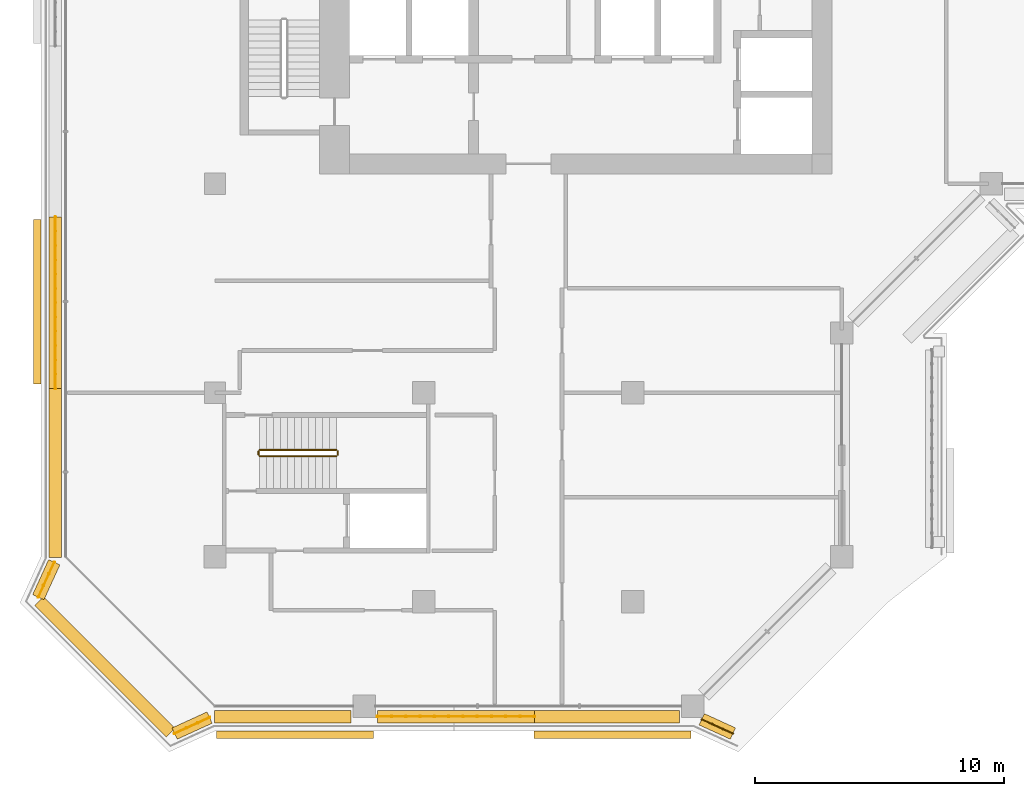
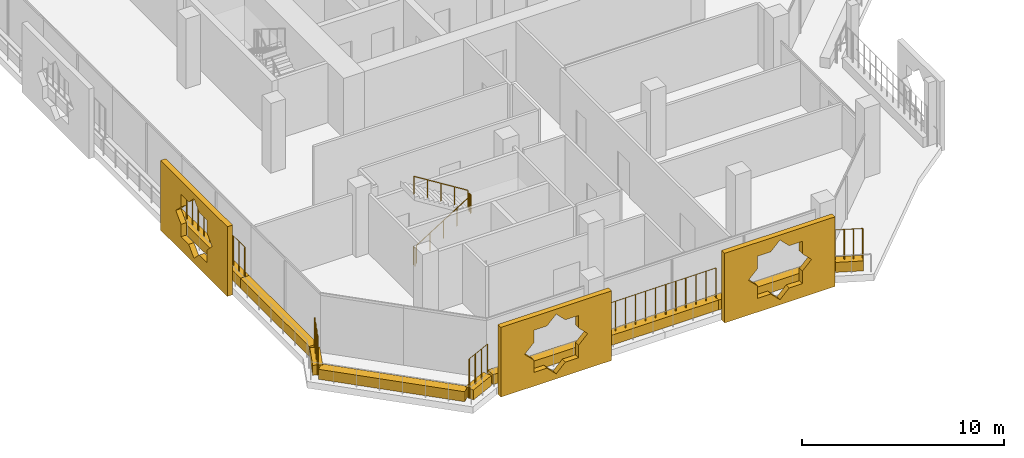
# One storey, part 14 of 21: 12 coverings, 9 railings.
"""IFC4 building model written with IfcOpenShell, lengths in metres."""

from ifc_helpers import new_model, si_unit, direction, frame, origin, origin_2d, place, context, subcontext, project, spatial, polyline, rectangle, circle, outline, extrude, material, material_profile, profile_set, type_object, element, save


model = new_model("IFC4")

# Units and contexts
model_context = context("Model", 3, precision=1e-05, world=origin(), true_north=direction((0.0, 1.0)))
body_context = subcontext(model_context, "Body", "Model", "MODEL_VIEW")
ifc_project = project(units=[si_unit("LENGTHUNIT", "METRE"), si_unit("AREAUNIT", "SQUARE_METRE"), si_unit("VOLUMEUNIT", "CUBIC_METRE"), si_unit("PLANEANGLEUNIT", "RADIAN"), si_unit("MASSUNIT", "GRAM", prefix="KILO")], contexts=[model_context])

# Site, building, storey
site_placement = place(None, origin())
site = spatial("IfcSite", under=ifc_project, at=site_placement, CompositionType="ELEMENT")
building_placement = place(site_placement, origin())
building = spatial("IfcBuilding", under=site, at=building_placement, Name="Kawkab Arch Medical Tower", CompositionType="ELEMENT")
storey_placement = place(building_placement, frame((0.0, 0.0, 264.199951171875)))
storey = spatial("IfcBuildingStorey", under=building, at=storey_placement, Name="L61", CompositionType="ELEMENT", Elevation=264.199951171875)

# Coverings
ifc_material_1 = material(Name="Bronze anodised aluminium mashrabiya panel, eight-point star pattern", Category="aluminium")
ifc_material_profile_1 = material_profile(ifc_material_1, outline(polyline([(-3.14990234375, -2.10009765625), (3.14990234375, -2.10009765625), (3.14990234375, 2.10009765625), (-3.14990234375, 2.10009765625), (-3.14990234375, -2.10009765625)]), holes=[polyline([(1.800048828125, 0.0), (1.272705078125, 0.527099609375), (1.272705078125, 1.272705078125), (0.527099609375, 1.272705078125), (0.0, 1.800048828125), (-0.527099609375, 1.272705078125), (-1.272705078125, 1.272705078125), (-1.272705078125, 0.527099609375), (-1.800048828125, 0.0), (-1.272705078125, -0.527099609375), (-1.272705078125, -1.272705078125), (-0.527099609375, -1.272705078125), (0.0, -1.800048828125), (0.527099609375, -1.272705078125), (1.272705078125, -1.272705078125), (1.272705078125, -0.527099609375), (1.800048828125, 0.0)])]), Name="Mashrabiya panel 6300x4200")
ifc_profile_set_1 = profile_set([ifc_material_profile_1], Name="Bronze anodised aluminium mashrabiya panel, eight-point star pattern")
covering_type_1 = type_object("IfcCoveringType", Name="Mashrabiya panel 6300 x 4200", PredefinedType="USERDEFINED", material=ifc_profile_set_1)
for number, where, z_axis, x_axis, name in (
    (1, (15.9814453125, -47.199951171875, 1.699951171875), (0.0, -1.0, 0.0), (1.0, 0.0, 0.0), "Mashrabiya panel L61.LOG-01-01.1"),
    (2, (3.218505859375, -47.199951171875, 1.699951171875), (0.0, -1.0, 0.0), (1.0, 0.0, 0.0), "Mashrabiya panel L61.LOG-01-01.2"),
):
    element("IfcCovering", number, at=place(storey_placement, frame(where, z_axis=z_axis, x_axis=x_axis)), inside=storey, type_object=covering_type_1, Name=name, ObjectType="SCREEN", PredefinedType="USERDEFINED", context=body_context, shape_type="SweptSolid", body=[
        extrude(outline(polyline([(-3.14990234375, -2.10009765625), (3.14990234375, -2.10009765625), (3.14990234375, 2.10009765625), (-3.14990234375, 2.10009765625), (-3.14990234375, -2.10009765625)]), holes=[polyline([(1.800048828125, 0.0), (1.272705078125, 0.527099609375), (1.272705078125, 1.272705078125), (0.527099609375, 1.272705078125), (0.0, 1.800048828125), (-0.527099609375, 1.272705078125), (-1.272705078125, 1.272705078125), (-1.272705078125, 0.527099609375), (-1.800048828125, 0.0), (-1.272705078125, -0.527099609375), (-1.272705078125, -1.272705078125), (-0.527099609375, -1.272705078125), (0.0, -1.800048828125), (0.527099609375, -1.272705078125), (1.272705078125, -1.272705078125), (1.272705078125, -0.527099609375), (1.800048828125, 0.0)])]), origin(), (0.0, 0.0, 1.0), 0.300048828125),
    ])
ifc_material_2 = material(Name="Bronze anodised aluminium mashrabiya panel, eight-point star pattern", Category="aluminium")
ifc_material_profile_2 = material_profile(ifc_material_2, outline(polyline([(-3.300048828125, -2.10009765625), (3.300048828125, -2.10009765625), (3.300048828125, 2.10009765625), (-3.300048828125, 2.10009765625), (-3.300048828125, -2.10009765625)]), holes=[polyline([(1.800048828125, 0.0), (1.272705078125, 0.527099609375), (1.272705078125, 1.272705078125), (0.527099609375, 1.272705078125), (0.0, 1.800048828125), (-0.527099609375, 1.272705078125), (-1.272705078125, 1.272705078125), (-1.272705078125, 0.527099609375), (-1.800048828125, 0.0), (-1.272705078125, -0.527099609375), (-1.272705078125, -1.272705078125), (-0.527099609375, -1.272705078125), (0.0, -1.800048828125), (0.527099609375, -1.272705078125), (1.272705078125, -1.272705078125), (1.272705078125, -0.527099609375), (1.800048828125, 0.0)])]), Name="Mashrabiya panel 6600x4200")
ifc_profile_set_2 = profile_set([ifc_material_profile_2], Name="Bronze anodised aluminium mashrabiya panel, eight-point star pattern")
covering_type_2 = type_object("IfcCoveringType", Name="Mashrabiya panel 6600 x 4200", PredefinedType="USERDEFINED", material=ifc_profile_set_2)
covering_1_placement = place(storey_placement, frame((-7.0, -29.94091796875, 1.699951171875), z_axis=(-1.0, 0.0, 0.0), x_axis=(0.0, -1.0, 0.0)))
element("IfcCovering", 3, at=covering_1_placement, inside=storey, type_object=covering_type_2, Name="Mashrabiya panel L61.LOG-01-01.3", ObjectType="SCREEN", PredefinedType="USERDEFINED", context=body_context, shape_type="SweptSolid", body=[
    extrude(outline(polyline([(-3.300048828125, -2.10009765625), (3.300048828125, -2.10009765625), (3.300048828125, 2.10009765625), (-3.300048828125, 2.10009765625), (-3.300048828125, -2.10009765625)]), holes=[polyline([(1.800048828125, 0.0), (1.272705078125, 0.527099609375), (1.272705078125, 1.272705078125), (0.527099609375, 1.272705078125), (0.0, 1.800048828125), (-0.527099609375, 1.272705078125), (-1.272705078125, 1.272705078125), (-1.272705078125, 0.527099609375), (-1.800048828125, 0.0), (-1.272705078125, -0.527099609375), (-1.272705078125, -1.272705078125), (-0.527099609375, -1.272705078125), (0.0, -1.800048828125), (0.527099609375, -1.272705078125), (1.272705078125, -1.272705078125), (1.272705078125, -0.527099609375), (1.800048828125, 0.0)])]), origin(), (0.0, 0.0, 1.0), 0.300048828125),
])
ifc_material_3 = material(Name="Planting soil in a precast trough", Category="concrete")
ifc_material_profile_3 = material_profile(ifc_material_3, rectangle(XDim=0.5, YDim=0.60009765625, at=origin_2d()), Name="Trough 500x600")
ifc_profile_set_3 = profile_set([ifc_material_profile_3], Name="Planting soil in a precast trough")
covering_type_3 = type_object("IfcCoveringType", Name="Planter trough 500 x 600", PredefinedType="USERDEFINED", material=ifc_profile_set_3)
covering_2_placement = place(storey_placement, frame((20.821044921875, -47.302001953125, 0.300048828125), z_axis=(-0.909831953447, 0.41497688669, 0.0), x_axis=(-0.41497688669, -0.909831953447, 0.0)))
element("IfcCovering", 4, at=covering_2_placement, inside=storey, type_object=covering_type_3, Name="Planter L61.LOG-01-01.1", ObjectType="PLANTER", PredefinedType="USERDEFINED", context=body_context, shape_type="SweptSolid", body=[
    extrude(rectangle(XDim=0.5, YDim=0.60009765625, at=origin_2d()), origin(), (0.0, 0.0, 1.0), 1.37841796875),
])
covering_3_placement = place(storey_placement, frame((18.669921875, -46.6201171875, 0.300048828125), z_axis=(-1.0, 0.0, 0.0), x_axis=(0.0, -1.0, 0.0)))
element("IfcCovering", 5, at=covering_3_placement, inside=storey, type_object=covering_type_3, Name="Planter L61.LOG-01-01.2", ObjectType="PLANTER", PredefinedType="USERDEFINED", context=body_context, shape_type="SweptSolid", body=[
    extrude(rectangle(XDim=0.5, YDim=0.60009765625, at=origin_2d()), origin(), (0.0, 0.0, 1.0), 5.827880859375),
])
covering_4_placement = place(storey_placement, frame((12.842041015625, -46.6201171875, 0.300048828125), z_axis=(-1.0, 0.0, 0.0), x_axis=(0.0, -1.0, 0.0)))
element("IfcCovering", 6, at=covering_4_placement, inside=storey, type_object=covering_type_3, Name="Planter L61.LOG-01-01.3", ObjectType="PLANTER", PredefinedType="USERDEFINED", context=body_context, shape_type="SweptSolid", body=[
    extrude(rectangle(XDim=0.5, YDim=0.60009765625, at=origin_2d()), origin(), (0.0, 0.0, 1.0), 6.31201171875),
])
covering_5_placement = place(storey_placement, frame((5.469970703125, -46.6201171875, 0.300048828125), z_axis=(-1.0, 0.0, 0.0), x_axis=(0.0, -1.0, 0.0)))
element("IfcCovering", 7, at=covering_5_placement, inside=storey, type_object=covering_type_3, Name="Planter L61.LOG-01-01.4", ObjectType="PLANTER", PredefinedType="USERDEFINED", context=body_context, shape_type="SweptSolid", body=[
    extrude(rectangle(XDim=0.5, YDim=0.60009765625, at=origin_2d()), origin(), (0.0, 0.0, 1.0), 5.495849609375),
])
covering_6_placement = place(storey_placement, frame((-0.217041015625, -46.660888671875, 0.300048828125), z_axis=(-0.909655525109, -0.415363486165, 0.0), x_axis=(0.415363486165, -0.909655525109, 0.0)))
element("IfcCovering", 8, at=covering_6_placement, inside=storey, type_object=covering_type_3, Name="Planter L61.LOG-01-01.5", ObjectType="PLANTER", PredefinedType="USERDEFINED", context=body_context, shape_type="SweptSolid", body=[
    extrude(rectangle(XDim=0.5, YDim=0.60009765625, at=origin_2d()), origin(), (0.0, 0.0, 1.0), 1.54345703125),
])
covering_7_placement = place(storey_placement, frame((-1.782958984375, -47.27294921875, 0.300048828125), z_axis=(-0.707106781187, 0.707106781187, 0.0), x_axis=(-0.707106781187, -0.707106781187, 0.0)))
element("IfcCovering", 9, at=covering_7_placement, inside=storey, type_object=covering_type_3, Name="Planter L61.LOG-01-01.6", ObjectType="PLANTER", PredefinedType="USERDEFINED", context=body_context, shape_type="SweptSolid", body=[
    extrude(rectangle(XDim=0.5, YDim=0.60009765625, at=origin_2d()), origin(), (0.0, 0.0, 1.0), 7.481201171875),
])
covering_8_placement = place(storey_placement, frame((-7.10205078125, -41.821044921875, 0.300048828125), z_axis=(0.415363486165, 0.909655525109, 0.0), x_axis=(-0.909655525109, 0.415363486165, 0.0)))
element("IfcCovering", 10, at=covering_8_placement, inside=storey, type_object=covering_type_3, Name="Planter L61.LOG-01-01.7", ObjectType="PLANTER", PredefinedType="USERDEFINED", context=body_context, shape_type="SweptSolid", body=[
    extrude(rectangle(XDim=0.5, YDim=0.60009765625, at=origin_2d()), origin(), (0.0, 0.0, 1.0), 1.54345703125),
])
covering_9_placement = place(storey_placement, frame((-6.419921875, -40.22607421875, 0.300048828125), z_axis=(0.0, 1.0, 0.0), x_axis=(-1.0, 0.0, 0.0)))
element("IfcCovering", 11, at=covering_9_placement, inside=storey, type_object=covering_type_3, Name="Planter L61.LOG-01-01.8", ObjectType="PLANTER", PredefinedType="USERDEFINED", context=body_context, shape_type="SweptSolid", body=[
    extrude(rectangle(XDim=0.5, YDim=0.60009765625, at=origin_2d()), origin(), (0.0, 0.0, 1.0), 6.7900390625),
])
covering_10_placement = place(storey_placement, frame((-6.419921875, -33.43603515625, 0.300048828125), z_axis=(0.0, 1.0, 0.0), x_axis=(-1.0, 0.0, 0.0)))
element("IfcCovering", 12, at=covering_10_placement, inside=storey, type_object=covering_type_3, Name="Planter L61.LOG-01-01.9", ObjectType="PLANTER", PredefinedType="USERDEFINED", context=body_context, shape_type="SweptSolid", body=[
    extrude(rectangle(XDim=0.5, YDim=0.60009765625, at=origin_2d()), origin(), (0.0, 0.0, 1.0), 6.89111328125),
])

# Railings
ifc_material_4 = material(Name="Bronze anodised aluminium trellis for climbing plants", Category="aluminium")
railing_type_1 = type_object("IfcRailingType", Name="Planting trellis 2400", PredefinedType="USERDEFINED", material=ifc_material_4)
railing_1_placement = place(storey_placement, frame((20.821044921875, -47.302001953125, 0.0)))
element("IfcRailing", 13, at=railing_1_placement, inside=storey, type_object=railing_type_1, Name="Planting trellis L61.LOG-01-01.1", ObjectType="TRELLIS", PredefinedType="USERDEFINED", context=body_context, shape_type="SweptSolid", body=[
    extrude(circle(Radius=0.01513671875, at=origin_2d()), frame((0.0, 0.0, 2.384765625), z_axis=(-0.909831953447, 0.41497688669, 0.0), x_axis=(-0.41497688669, -0.909831953447, 0.0)), (0.0, 0.0, 1.0), 1.37841796875),
    extrude(circle(Radius=0.030029296875, at=origin_2d()), origin(), (0.0, 0.0, 1.0), 2.369873046875),
    extrude(circle(Radius=0.030029296875, at=origin_2d()), frame((-0.41796875, 0.190673828125, 0.0)), (0.0, 0.0, 1.0), 2.369873046875),
    extrude(circle(Radius=0.030029296875, at=origin_2d()), frame((-0.836181640625, 0.38134765625, 0.0)), (0.0, 0.0, 1.0), 2.369873046875),
    extrude(circle(Radius=0.030029296875, at=origin_2d()), frame((-1.254150390625, 0.572021484375, 0.0)), (0.0, 0.0, 1.0), 2.369873046875),
])
railing_2_placement = place(storey_placement, frame((12.842041015625, -46.6201171875, 0.0)))
element("IfcRailing", 14, at=railing_2_placement, inside=storey, type_object=railing_type_1, Name="Planting trellis L61.LOG-01-01.3", ObjectType="TRELLIS", PredefinedType="USERDEFINED", context=body_context, shape_type="SweptSolid", body=[
    extrude(circle(Radius=0.01513671875, at=origin_2d()), frame((0.0, 0.0, 2.384765625), z_axis=(-1.0, 0.0, 0.0), x_axis=(0.0, -1.0, 0.0)), (0.0, 0.0, 1.0), 6.31201171875),
    extrude(circle(Radius=0.030029296875, at=origin_2d()), origin(), (0.0, 0.0, 1.0), 2.369873046875),
    extrude(circle(Radius=0.030029296875, at=origin_2d()), frame((-0.57373046875, 0.0, 0.0)), (0.0, 0.0, 1.0), 2.369873046875),
    extrude(circle(Radius=0.030029296875, at=origin_2d()), frame((-1.147705078125, 0.0, 0.0)), (0.0, 0.0, 1.0), 2.369873046875),
    extrude(circle(Radius=0.030029296875, at=origin_2d()), frame((-1.721435546875, 0.0, 0.0)), (0.0, 0.0, 1.0), 2.369873046875),
    extrude(circle(Radius=0.030029296875, at=origin_2d()), frame((-2.295166015625, 0.0, 0.0)), (0.0, 0.0, 1.0), 2.369873046875),
    extrude(circle(Radius=0.030029296875, at=origin_2d()), frame((-2.869140625, 0.0, 0.0)), (0.0, 0.0, 1.0), 2.369873046875),
    extrude(circle(Radius=0.030029296875, at=origin_2d()), frame((-3.44287109375, 0.0, 0.0)), (0.0, 0.0, 1.0), 2.369873046875),
    extrude(circle(Radius=0.030029296875, at=origin_2d()), frame((-4.016845703125, 0.0, 0.0)), (0.0, 0.0, 1.0), 2.369873046875),
    extrude(circle(Radius=0.030029296875, at=origin_2d()), frame((-4.590576171875, 0.0, 0.0)), (0.0, 0.0, 1.0), 2.369873046875),
    extrude(circle(Radius=0.030029296875, at=origin_2d()), frame((-5.164306640625, 0.0, 0.0)), (0.0, 0.0, 1.0), 2.369873046875),
    extrude(circle(Radius=0.030029296875, at=origin_2d()), frame((-5.73828125, 0.0, 0.0)), (0.0, 0.0, 1.0), 2.369873046875),
    extrude(circle(Radius=0.030029296875, at=origin_2d()), frame((-6.31201171875, 0.0, 0.0)), (0.0, 0.0, 1.0), 2.369873046875),
])
railing_3_placement = place(storey_placement, frame((-0.217041015625, -46.660888671875, 0.0)))
element("IfcRailing", 15, at=railing_3_placement, inside=storey, type_object=railing_type_1, Name="Planting trellis L61.LOG-01-01.5", ObjectType="TRELLIS", PredefinedType="USERDEFINED", context=body_context, shape_type="SweptSolid", body=[
    extrude(circle(Radius=0.01513671875, at=origin_2d()), frame((0.0, 0.0, 2.384765625), z_axis=(-0.909655525109, -0.415363486165, 0.0), x_axis=(0.415363486165, -0.909655525109, 0.0)), (0.0, 0.0, 1.0), 1.54345703125),
    extrude(circle(Radius=0.030029296875, at=origin_2d()), origin(), (0.0, 0.0, 1.0), 2.369873046875),
    extrude(circle(Radius=0.030029296875, at=origin_2d()), frame((-0.468017578125, -0.213623046875, 0.0)), (0.0, 0.0, 1.0), 2.369873046875),
    extrude(circle(Radius=0.030029296875, at=origin_2d()), frame((-0.93603515625, -0.427490234375, 0.0)), (0.0, 0.0, 1.0), 2.369873046875),
    extrude(circle(Radius=0.030029296875, at=origin_2d()), frame((-1.404052734375, -0.64111328125, 0.0)), (0.0, 0.0, 1.0), 2.369873046875),
])
railing_4_placement = place(storey_placement, frame((-7.10205078125, -41.821044921875, 0.0)))
element("IfcRailing", 16, at=railing_4_placement, inside=storey, type_object=railing_type_1, Name="Planting trellis L61.LOG-01-01.7", ObjectType="TRELLIS", PredefinedType="USERDEFINED", context=body_context, shape_type="SweptSolid", body=[
    extrude(circle(Radius=0.01513671875, at=origin_2d()), frame((0.0, 0.0, 2.384765625), z_axis=(0.415363486165, 0.909655525109, 0.0), x_axis=(-0.909655525109, 0.415363486165, 0.0)), (0.0, 0.0, 1.0), 1.54345703125),
    extrude(circle(Radius=0.030029296875, at=origin_2d()), origin(), (0.0, 0.0, 1.0), 2.369873046875),
    extrude(circle(Radius=0.030029296875, at=origin_2d()), frame((0.213623046875, 0.468017578125, 0.0)), (0.0, 0.0, 1.0), 2.369873046875),
    extrude(circle(Radius=0.030029296875, at=origin_2d()), frame((0.427490234375, 0.93603515625, 0.0)), (0.0, 0.0, 1.0), 2.369873046875),
    extrude(circle(Radius=0.030029296875, at=origin_2d()), frame((0.64111328125, 1.404052734375, 0.0)), (0.0, 0.0, 1.0), 2.369873046875),
])
railing_5_placement = place(storey_placement, frame((-6.419921875, -33.43603515625, 0.0)))
element("IfcRailing", 17, at=railing_5_placement, inside=storey, type_object=railing_type_1, Name="Planting trellis L61.LOG-01-01.9", ObjectType="TRELLIS", PredefinedType="USERDEFINED", context=body_context, shape_type="SweptSolid", body=[
    extrude(circle(Radius=0.01513671875, at=origin_2d()), frame((0.0, 0.0, 2.384765625), z_axis=(0.0, 1.0, 0.0), x_axis=(-1.0, 0.0, 0.0)), (0.0, 0.0, 1.0), 6.89111328125),
    extrude(circle(Radius=0.030029296875, at=origin_2d()), origin(), (0.0, 0.0, 1.0), 2.369873046875),
    extrude(circle(Radius=0.030029296875, at=origin_2d()), frame((0.0, 0.57421875, 0.0)), (0.0, 0.0, 1.0), 2.369873046875),
    extrude(circle(Radius=0.030029296875, at=origin_2d()), frame((0.0, 1.1484375, 0.0)), (0.0, 0.0, 1.0), 2.369873046875),
    extrude(circle(Radius=0.030029296875, at=origin_2d()), frame((0.0, 1.72265625, 0.0)), (0.0, 0.0, 1.0), 2.369873046875),
    extrude(circle(Radius=0.030029296875, at=origin_2d()), frame((0.0, 2.297119140625, 0.0)), (0.0, 0.0, 1.0), 2.369873046875),
    extrude(circle(Radius=0.030029296875, at=origin_2d()), frame((0.0, 2.871337890625, 0.0)), (0.0, 0.0, 1.0), 2.369873046875),
    extrude(circle(Radius=0.030029296875, at=origin_2d()), frame((0.0, 3.445556640625, 0.0)), (0.0, 0.0, 1.0), 2.369873046875),
    extrude(circle(Radius=0.030029296875, at=origin_2d()), frame((0.0, 4.019775390625, 0.0)), (0.0, 0.0, 1.0), 2.369873046875),
    extrude(circle(Radius=0.030029296875, at=origin_2d()), frame((0.0, 4.593994140625, 0.0)), (0.0, 0.0, 1.0), 2.369873046875),
    extrude(circle(Radius=0.030029296875, at=origin_2d()), frame((0.0, 5.16845703125, 0.0)), (0.0, 0.0, 1.0), 2.369873046875),
    extrude(circle(Radius=0.030029296875, at=origin_2d()), frame((0.0, 5.74267578125, 0.0)), (0.0, 0.0, 1.0), 2.369873046875),
    extrude(circle(Radius=0.030029296875, at=origin_2d()), frame((0.0, 6.31689453125, 0.0)), (0.0, 0.0, 1.0), 2.369873046875),
    extrude(circle(Radius=0.030029296875, at=origin_2d()), frame((0.0, 6.89111328125, 0.0)), (0.0, 0.0, 1.0), 2.369873046875),
])
ifc_material_5 = material(Name="Stainless steel", Category="steel")
railing_type_2 = type_object("IfcRailingType", Name="Stair guard 1100", PredefinedType="GUARDRAIL", material=ifc_material_5)
railing_6_placement = place(storey_placement, frame((1.800048828125, -36.14990234375, 0.175048828125)))
element("IfcRailing", 18, at=railing_6_placement, inside=storey, type_object=railing_type_2, Name="L61 ST6 stair guard 1", PredefinedType="GUARDRAIL", context=body_context, shape_type="SweptSolid", body=[
    extrude(circle(Radius=0.02392578125, at=origin_2d()), frame((0.0, 0.0, 1.076171875), z_axis=(0.847979421464, 0.0, 0.530029150871), x_axis=(0.0, 1.0, 0.0)), (0.0, 0.0, 1.0), 3.632080078125),
    extrude(circle(Radius=0.02099609375, at=origin_2d()), origin(), (0.0, 0.0, 1.0), 1.052001953125),
    extrude(circle(Radius=0.02099609375, at=origin_2d()), frame((0.77001953125, 0.0, 0.481201171875)), (0.0, 0.0, 1.0), 1.052001953125),
    extrude(circle(Radius=0.02099609375, at=origin_2d()), frame((1.5400390625, 0.0, 0.96240234375)), (0.0, 0.0, 1.0), 1.052001953125),
    extrude(circle(Radius=0.02099609375, at=origin_2d()), frame((2.309814453125, 0.0, 1.44384765625)), (0.0, 0.0, 1.0), 1.052001953125),
    extrude(circle(Radius=0.02099609375, at=origin_2d()), frame((3.079833984375, 0.0, 1.925048828125)), (0.0, 0.0, 1.0), 1.052001953125),
])
railing_7_placement = place(storey_placement, frame((4.929931640625, -36.10009765625, 2.10009765625)))
element("IfcRailing", 19, at=railing_7_placement, inside=storey, type_object=railing_type_2, Name="L61 ST6 stair guard 2", PredefinedType="GUARDRAIL", context=body_context, shape_type="SweptSolid", body=[
    extrude(circle(Radius=0.02392578125, at=origin_2d()), frame((0.0, 0.0, 1.076171875), z_axis=(0.0, 1.0, 0.0), x_axis=(-1.0, 0.0, 0.0)), (0.0, 0.0, 1.0), 0.150146484375),
    extrude(circle(Radius=0.02099609375, at=origin_2d()), origin(), (0.0, 0.0, 1.0), 1.052001953125),
    extrude(circle(Radius=0.02099609375, at=origin_2d()), frame((0.0, 0.150146484375, 0.0)), (0.0, 0.0, 1.0), 1.052001953125),
])
railing_8_placement = place(storey_placement, frame((4.8798828125, -35.89990234375, 2.275146484375)))
element("IfcRailing", 20, at=railing_8_placement, inside=storey, type_object=railing_type_2, Name="L61 ST6 stair guard 3", PredefinedType="GUARDRAIL", context=body_context, shape_type="SweptSolid", body=[
    extrude(circle(Radius=0.02392578125, at=origin_2d()), frame((0.0, 0.0, 1.076171875), z_axis=(-0.848009633417, 0.0, 0.529980812513), x_axis=(0.0, -1.0, 0.0)), (0.0, 0.0, 1.0), 3.6318359375),
    extrude(circle(Radius=0.02099609375, at=origin_2d()), origin(), (0.0, 0.0, 1.0), 1.052001953125),
    extrude(circle(Radius=0.02099609375, at=origin_2d()), frame((-0.77001953125, 0.0, 0.481201171875)), (0.0, 0.0, 1.0), 1.052001953125),
    extrude(circle(Radius=0.02099609375, at=origin_2d()), frame((-1.5400390625, 0.0, 0.96240234375)), (0.0, 0.0, 1.0), 1.052001953125),
    extrude(circle(Radius=0.02099609375, at=origin_2d()), frame((-2.309814453125, 0.0, 1.443603515625)), (0.0, 0.0, 1.0), 1.052001953125),
    extrude(circle(Radius=0.02099609375, at=origin_2d()), frame((-3.079833984375, 0.0, 1.9248046875)), (0.0, 0.0, 1.0), 1.052001953125),
])
railing_9_placement = place(storey_placement, frame((1.75, -36.10009765625, 0.0)))
element("IfcRailing", 21, at=railing_9_placement, inside=storey, type_object=railing_type_2, Name="L61 ST6 stair guard 4", PredefinedType="GUARDRAIL", context=body_context, shape_type="SweptSolid", body=[
    extrude(circle(Radius=0.02392578125, at=origin_2d()), frame((0.0, 0.0, 1.076171875), z_axis=(0.0, 1.0, 0.0), x_axis=(-1.0, 0.0, 0.0)), (0.0, 0.0, 1.0), 0.150146484375),
    extrude(circle(Radius=0.02099609375, at=origin_2d()), origin(), (0.0, 0.0, 1.0), 1.052001953125),
    extrude(circle(Radius=0.02099609375, at=origin_2d()), frame((0.0, 0.150146484375, 0.0)), (0.0, 0.0, 1.0), 1.052001953125),
])

save(model, "model.ifc")
